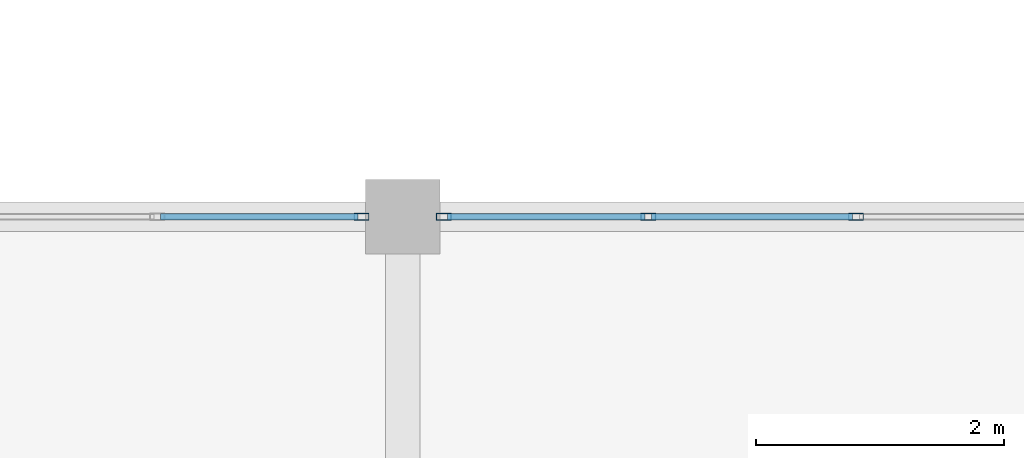
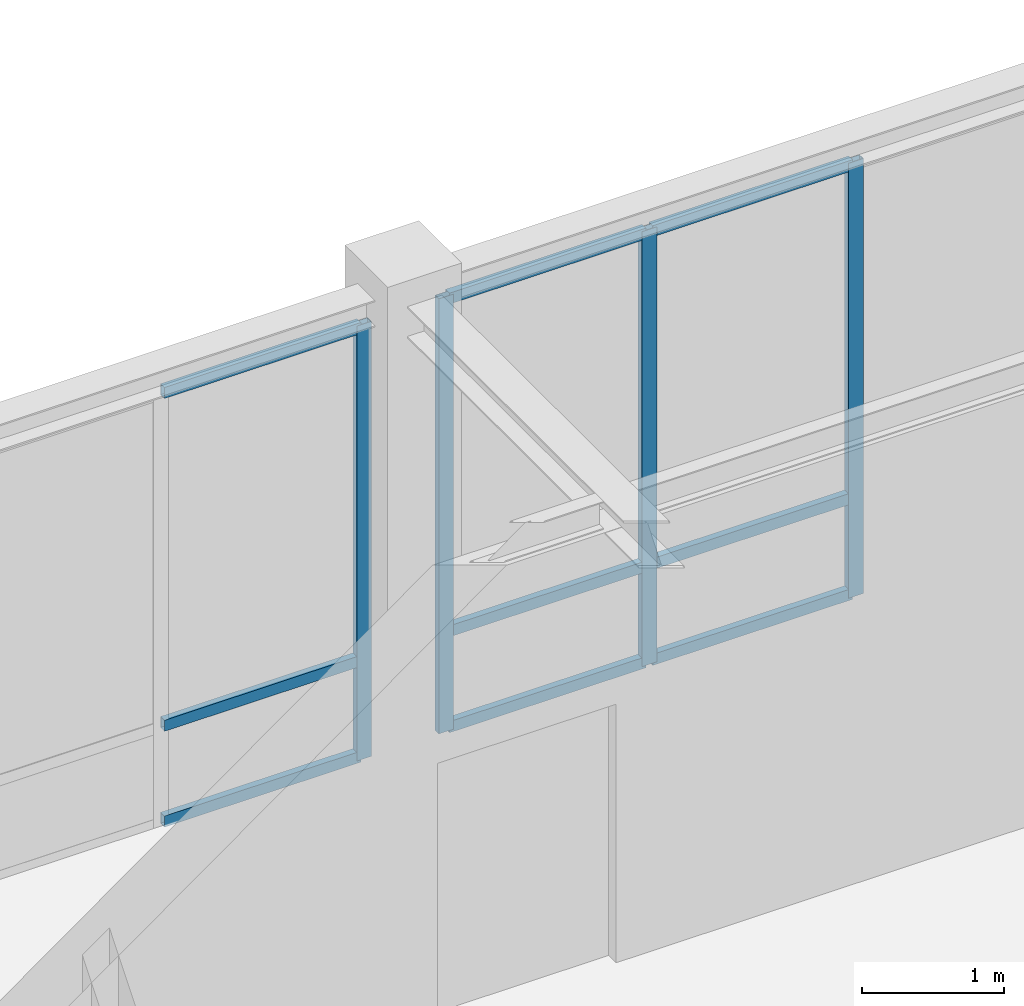
# One storey, part 45 of 97: 13 members, 2 elements without a shape of their own.
"""IFC4 building model written with IfcOpenShell, lengths in metres."""

from ifc_helpers import new_model, si_unit, direction, frame, origin, origin_2d, place, context, subcontext, project, spatial, hollow_rectangle, extrude, material, material_profile, profile_set, type_object, element, aggregate, save


model = new_model("IFC4")

# Units and contexts
model_context = context("Model", 3, precision=1e-05, world=origin(), true_north=direction((0.0, 1.0)))
body_context = subcontext(model_context, "Body", "Model", "MODEL_VIEW")
ifc_project = project(units=[si_unit("LENGTHUNIT", "METRE"), si_unit("AREAUNIT", "SQUARE_METRE"), si_unit("VOLUMEUNIT", "CUBIC_METRE"), si_unit("PLANEANGLEUNIT", "RADIAN"), si_unit("MASSUNIT", "GRAM", prefix="KILO")], contexts=[model_context])

# Site, building, storey
site_placement = place(None, origin())
site = spatial("IfcSite", under=ifc_project, at=site_placement, CompositionType="ELEMENT")
building_placement = place(site_placement, origin())
building = spatial("IfcBuilding", under=site, at=building_placement, Name="Lykobir Media Centre", CompositionType="ELEMENT")
storey_placement = place(building_placement, frame((0.0, 0.0, 23.39990234375)))
storey = spatial("IfcBuildingStorey", under=building, at=storey_placement, Name="L05", CompositionType="ELEMENT", Elevation=23.39990234375)

# Curtain wall, member
ifc_material = material(Name="Anodized Aluminium AW-6060", Category="aluminium")
curtain_wall_type = type_object("IfcCurtainWallType", Name="CW-COURT-B", PredefinedType="NOTDEFINED", material=ifc_material)
curtain_wall_1_placement = place(storey_placement, origin())
curtain_wall_1 = element("IfcCurtainWall", 1, at=curtain_wall_1_placement, inside=storey, type_object=curtain_wall_type, Name="Curtain wall CW2-L05-0187", PredefinedType="NOTDEFINED")
ifc_material_profile_1 = material_profile(ifc_material, hollow_rectangle(XDim=0.054931640625, YDim=0.1201171875, WallThickness=0.003173828125, at=origin_2d()), Name="ALU MULLION 55x120")
ifc_profile_set_1 = profile_set([ifc_material_profile_1], Name="Anodized Aluminium AW-6060")
member_type_1 = type_object("IfcMemberType", Name="CWM-120", PredefinedType="MULLION", material=ifc_profile_set_1)
member_1_placement = place(storey_placement, frame((107.66748046875, 18.0, 0.0), z_axis=(0.0, 0.0, 1.0), x_axis=(0.0, 1.0, 0.0)))
member_1 = element("IfcMember", 2, at=member_1_placement, type_object=member_type_1, Name="CW2-L05-0187 mullion 6", PredefinedType="MULLION", context=body_context, shape_type="SweptSolid", body=[
    extrude(hollow_rectangle(XDim=0.054931640625, YDim=0.1201171875, WallThickness=0.003173828125, at=origin_2d()), origin(), (0.0, 0.0, 1.0), 3.735107421875),
])

# Curtain wall, members
curtain_wall_2_placement = place(storey_placement, origin())
curtain_wall_2 = element("IfcCurtainWall", 3, at=curtain_wall_2_placement, inside=storey, type_object=curtain_wall_type, Name="Curtain wall CW2-L05-0188", PredefinedType="NOTDEFINED")
member_2_placement = place(storey_placement, frame((108.33251953125, 18.0, 0.0), z_axis=(0.0, 0.0, 1.0), x_axis=(0.0, 1.0, 0.0)))
member_2 = element("IfcMember", 4, at=member_2_placement, type_object=member_type_1, Name="CW2-L05-0188 mullion 1", PredefinedType="MULLION", context=body_context, shape_type="SweptSolid", body=[
    extrude(hollow_rectangle(XDim=0.054931640625, YDim=0.1201171875, WallThickness=0.003173828125, at=origin_2d()), origin(), (0.0, 0.0, 1.0), 3.735107421875),
])
member_3_placement = place(storey_placement, frame((109.98291015625, 18.0, 0.0), z_axis=(0.0, 0.0, 1.0), x_axis=(0.0, 1.0, 0.0)))
member_3 = element("IfcMember", 5, at=member_3_placement, type_object=member_type_1, Name="CW2-L05-0188 mullion 2", PredefinedType="MULLION", context=body_context, shape_type="SweptSolid", body=[
    extrude(hollow_rectangle(XDim=0.054931640625, YDim=0.1201171875, WallThickness=0.003173828125, at=origin_2d()), origin(), (0.0, 0.0, 1.0), 3.735107421875),
])
member_4_placement = place(storey_placement, frame((111.660888671875, 18.0, 0.0), z_axis=(0.0, 0.0, 1.0), x_axis=(0.0, 1.0, 0.0)))
member_4 = element("IfcMember", 6, at=member_4_placement, type_object=member_type_1, Name="CW2-L05-0188 mullion 3", PredefinedType="MULLION", context=body_context, shape_type="SweptSolid", body=[
    extrude(hollow_rectangle(XDim=0.054931640625, YDim=0.1201171875, WallThickness=0.003173828125, at=origin_2d()), origin(), (0.0, 0.0, 1.0), 3.735107421875),
])

# Member
ifc_material_profile_2 = material_profile(ifc_material, hollow_rectangle(XDim=0.054931640625, YDim=0.094970703125, WallThickness=0.0029296875, at=origin_2d()), Name="ALU TRANSOM 55x95")
ifc_profile_set_2 = profile_set([ifc_material_profile_2], Name="Anodized Aluminium AW-6060")
member_type_2 = type_object("IfcMemberType", Name="CWT-095", PredefinedType="USERDEFINED", material=ifc_profile_set_2)
member_5_placement = place(storey_placement, frame((106.04443359375, 18.0, 0.027587890625), z_axis=(1.0, 0.0, 0.0), x_axis=(0.0, 1.0, 0.0)))
member_5 = element("IfcMember", 7, at=member_5_placement, type_object=member_type_2, Name="CW2-L05-0187 transom 5.1", ObjectType="TRANSOM", PredefinedType="USERDEFINED", context=body_context, shape_type="SweptSolid", body=[
    extrude(hollow_rectangle(XDim=0.054931640625, YDim=0.094970703125, WallThickness=0.0029296875, at=origin_2d()), origin(), (0.0, 0.0, 1.0), 1.595458984375),
])

member_6_placement = place(storey_placement, frame((106.04443359375, 18.0, 0.85009765625), z_axis=(1.0, 0.0, 0.0), x_axis=(0.0, 1.0, 0.0)))
member_6 = element("IfcMember", 8, at=member_6_placement, type_object=member_type_2, Name="CW2-L05-0187 transom 5.2", ObjectType="TRANSOM", PredefinedType="USERDEFINED", context=body_context, shape_type="SweptSolid", body=[
    extrude(hollow_rectangle(XDim=0.054931640625, YDim=0.094970703125, WallThickness=0.0029296875, at=origin_2d()), origin(), (0.0, 0.0, 1.0), 1.595458984375),
])

member_7_placement = place(storey_placement, frame((106.04443359375, 18.0, 3.70751953125), z_axis=(1.0, 0.0, 0.0), x_axis=(0.0, 1.0, 0.0)))
member_7 = element("IfcMember", 9, at=member_7_placement, type_object=member_type_2, Name="CW2-L05-0187 transom 5.3", ObjectType="TRANSOM", PredefinedType="USERDEFINED", context=body_context, shape_type="SweptSolid", body=[
    extrude(hollow_rectangle(XDim=0.054931640625, YDim=0.094970703125, WallThickness=0.0029296875, at=origin_2d()), origin(), (0.0, 0.0, 1.0), 1.595458984375),
])

aggregate(curtain_wall_1, [member_1, member_5, member_6, member_7])

member_8_placement = place(storey_placement, frame((108.360107421875, 18.0, 0.027587890625), z_axis=(1.0, 0.0, 0.0), x_axis=(0.0, 1.0, 0.0)))
member_8 = element("IfcMember", 10, at=member_8_placement, type_object=member_type_2, Name="CW2-L05-0188 transom 1.1", ObjectType="TRANSOM", PredefinedType="USERDEFINED", context=body_context, shape_type="SweptSolid", body=[
    extrude(hollow_rectangle(XDim=0.054931640625, YDim=0.094970703125, WallThickness=0.0029296875, at=origin_2d()), origin(), (0.0, 0.0, 1.0), 1.595458984375),
])

member_9_placement = place(storey_placement, frame((108.360107421875, 18.0, 0.85009765625), z_axis=(1.0, 0.0, 0.0), x_axis=(0.0, 1.0, 0.0)))
member_9 = element("IfcMember", 11, at=member_9_placement, type_object=member_type_2, Name="CW2-L05-0188 transom 1.2", ObjectType="TRANSOM", PredefinedType="USERDEFINED", context=body_context, shape_type="SweptSolid", body=[
    extrude(hollow_rectangle(XDim=0.054931640625, YDim=0.094970703125, WallThickness=0.0029296875, at=origin_2d()), origin(), (0.0, 0.0, 1.0), 1.595458984375),
])

member_10_placement = place(storey_placement, frame((108.360107421875, 18.0, 3.70751953125), z_axis=(1.0, 0.0, 0.0), x_axis=(0.0, 1.0, 0.0)))
member_10 = element("IfcMember", 12, at=member_10_placement, type_object=member_type_2, Name="CW2-L05-0188 transom 1.3", ObjectType="TRANSOM", PredefinedType="USERDEFINED", context=body_context, shape_type="SweptSolid", body=[
    extrude(hollow_rectangle(XDim=0.054931640625, YDim=0.094970703125, WallThickness=0.0029296875, at=origin_2d()), origin(), (0.0, 0.0, 1.0), 1.595458984375),
])

member_11_placement = place(storey_placement, frame((110.010498046875, 18.0, 0.027587890625), z_axis=(1.0, 0.0, 0.0), x_axis=(0.0, 1.0, 0.0)))
member_11 = element("IfcMember", 13, at=member_11_placement, type_object=member_type_2, Name="CW2-L05-0188 transom 2.1", ObjectType="TRANSOM", PredefinedType="USERDEFINED", context=body_context, shape_type="SweptSolid", body=[
    extrude(hollow_rectangle(XDim=0.054931640625, YDim=0.094970703125, WallThickness=0.0029296875, at=origin_2d()), origin(), (0.0, 0.0, 1.0), 1.623046875),
])

member_12_placement = place(storey_placement, frame((110.010498046875, 18.0, 0.85009765625), z_axis=(1.0, 0.0, 0.0), x_axis=(0.0, 1.0, 0.0)))
member_12 = element("IfcMember", 14, at=member_12_placement, type_object=member_type_2, Name="CW2-L05-0188 transom 2.2", ObjectType="TRANSOM", PredefinedType="USERDEFINED", context=body_context, shape_type="SweptSolid", body=[
    extrude(hollow_rectangle(XDim=0.054931640625, YDim=0.094970703125, WallThickness=0.0029296875, at=origin_2d()), origin(), (0.0, 0.0, 1.0), 1.623046875),
])

member_13_placement = place(storey_placement, frame((110.010498046875, 18.0, 3.70751953125), z_axis=(1.0, 0.0, 0.0), x_axis=(0.0, 1.0, 0.0)))
member_13 = element("IfcMember", 15, at=member_13_placement, type_object=member_type_2, Name="CW2-L05-0188 transom 2.3", ObjectType="TRANSOM", PredefinedType="USERDEFINED", context=body_context, shape_type="SweptSolid", body=[
    extrude(hollow_rectangle(XDim=0.054931640625, YDim=0.094970703125, WallThickness=0.0029296875, at=origin_2d()), origin(), (0.0, 0.0, 1.0), 1.623046875),
])

aggregate(curtain_wall_2, [member_2, member_3, member_4, member_8, member_9, member_10, member_11, member_12, member_13])

save(model, "model.ifc")
